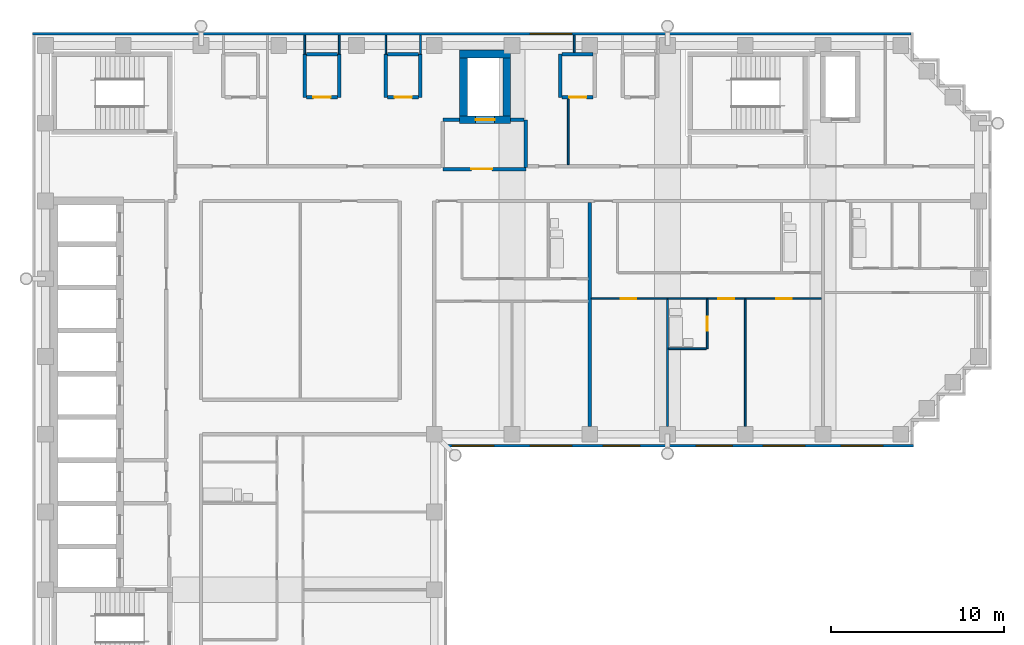
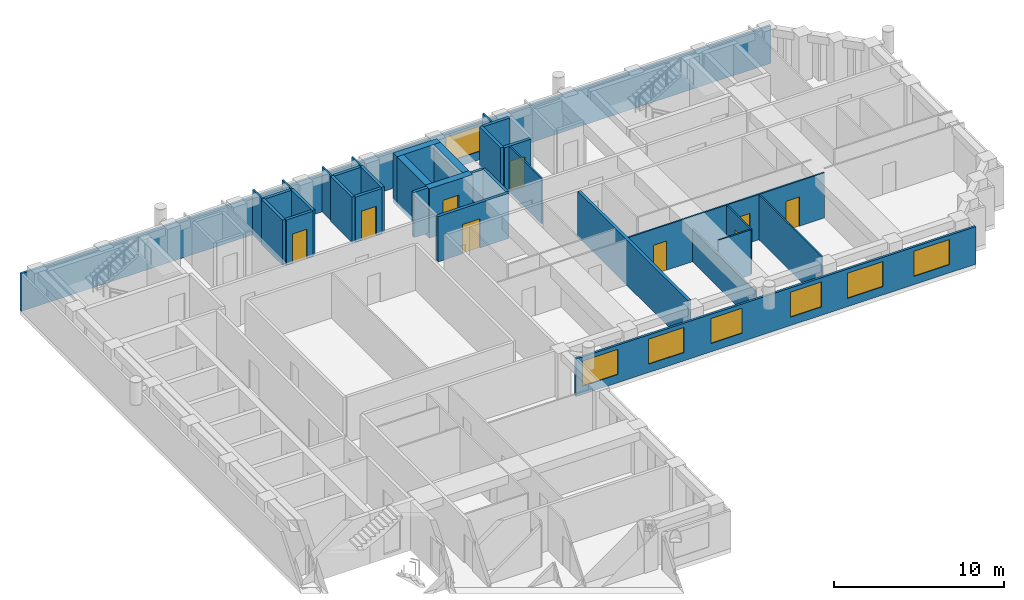
# One storey, part 6 of 11: 33 walls, 9 doors, 7 windows, 16 openings.
"""IFC4 building model written with IfcOpenShell, lengths in metres."""

from ifc_helpers import new_model, si_unit, direction, frame, frame_2d, origin, place, context, subcontext, project, spatial, rectangle, extrude, material, layer, layer_set, type_object, element, fill, save


model = new_model("IFC4")

# Units and contexts
model_context = context("Model", 3, precision=1e-05, world=origin(), true_north=direction((0.0, 1.0)))
body_context = subcontext(model_context, "Body", "Model", "MODEL_VIEW")
ifc_project = project(units=[si_unit("LENGTHUNIT", "METRE"), si_unit("AREAUNIT", "SQUARE_METRE"), si_unit("VOLUMEUNIT", "CUBIC_METRE"), si_unit("PLANEANGLEUNIT", "RADIAN"), si_unit("MASSUNIT", "GRAM", prefix="KILO")], contexts=[model_context])

# Site, building, storey
site_placement = place(None, origin())
site = spatial("IfcSite", under=ifc_project, at=site_placement, CompositionType="ELEMENT")
building_placement = place(site_placement, origin())
building = spatial("IfcBuilding", under=site, at=building_placement, Name="Firuza Court", CompositionType="ELEMENT")
storey_placement = place(building_placement, frame((0.0, 0.0, 207.800048828125)))
storey = spatial("IfcBuildingStorey", under=building, at=storey_placement, Name="L53", CompositionType="ELEMENT", Elevation=207.800048828125)

# Wall
ifc_material_1 = material(Name="Moisture-resistant gypsum board partition")
ifc_layer_1 = layer(ifc_material_1, 0.10009765625)
ifc_layer_set_1 = layer_set([ifc_layer_1], Name="Moisture-resistant gypsum board partition")
wall_type_1 = type_object("IfcWallType", Name="Bathroom partition 100", PredefinedType="PLUMBINGWALL", material=ifc_layer_set_1)
wall_1_placement = place(storey_placement, frame((36.050048828125, 40.949951171875, 0.0), z_axis=(0.0, 0.0, 1.0), x_axis=(1.0, 0.0, 0.0)))
element("IfcWall", 1, at=wall_1_placement, inside=storey, type_object=wall_type_1, Name="Bathroom partition 100 L53", PredefinedType="PLUMBINGWALL", context=body_context, shape_type="SweptSolid", body=[
    extrude(rectangle(XDim=2.199951171875, YDim=0.10009765625, at=frame_2d((1.10009765625, 0.0))), origin(), (0.0, 0.0, 1.0), 3.25),
])

# Wall, opening, door
wall_2_placement = place(storey_placement, frame((38.300048828125, 40.949951171875, 0.0), z_axis=(0.0, 0.0, 1.0), x_axis=(0.0, 1.0, 0.0)))
wall_2 = element("IfcWall", 2, at=wall_2_placement, inside=storey, type_object=wall_type_1, Name="Bathroom partition 100 L53", PredefinedType="PLUMBINGWALL", context=body_context, shape_type="SweptSolid", body=[
    extrude(rectangle(XDim=2.85009765625, YDim=0.10009765625, at=frame_2d((1.425048828125, 0.0))), origin(), (0.0, 0.0, 1.0), 3.25),
])
opening_1_placement = place(wall_2_placement, frame((1.050048828125, 0.0, 0.0)))
opening_1 = element("IfcOpeningElement", 3, at=opening_1_placement, cuts=wall_2, Name="Opening D53035", PredefinedType="OPENING", context=body_context, shape_type="SweptSolid", body=[
    extrude(rectangle(XDim=0.800048828125, YDim=2.10009765625, at=frame_2d((0.39990234375, 1.050048828125))), frame((0.0, 0.06201171875, 0.0), z_axis=(0.0, -1.0, 0.0), x_axis=(1.0, 0.0, 0.0)), (0.0, 0.0, 1.0), 0.1240234375),
])
ifc_material_2 = material(Name="Timber door leaf in hardwood frame", Category="wood")
door_type_1 = type_object("IfcDoorType", Name="Bathroom door 800", OperationType="SINGLE_SWING_LEFT", PredefinedType="DOOR", material=ifc_material_2)
door_1_placement = place(opening_1_placement, origin())
door_1 = element("IfcDoor", 4, at=door_1_placement, inside=storey, type_object=door_type_1, Name="En-suite door", OperationType="SINGLE_SWING_LEFT", OverallHeight=2.10009765625, OverallWidth=0.800048828125, PredefinedType="DOOR", context=body_context, shape_type="SweptSolid", body=[
    extrude(rectangle(XDim=0.800048828125, YDim=2.10009765625, at=frame_2d((0.39990234375, 1.050048828125))), frame((0.0, 0.02490234375, 0.0), z_axis=(0.0, -1.0, 0.0), x_axis=(1.0, 0.0, 0.0)), (0.0, 0.0, 1.0), 0.050048828125),
])
fill(opening_1, door_1)

ifc_material_3 = material(Name="Concrete C50/60", Category="concrete")
ifc_layer_2 = layer(ifc_material_3, 0.449951171875)
ifc_layer_set_2 = layer_set([ifc_layer_2], Name="Concrete C50/60")
wall_type_2 = type_object("IfcWallType", Name="Core wall 450 C50/60", PredefinedType="SHEAR", material=ifc_layer_set_2)
wall_3_placement = place(storey_placement, frame((23.97509765625, 54.199951171875, -0.300048828125), z_axis=(0.0, 0.0, 1.0), x_axis=(1.0, 0.0, 0.0)))
wall_3 = element("IfcWall", 5, at=wall_3_placement, inside=storey, type_object=wall_type_2, Name="Core wall lift shaft L53", PredefinedType="SHEAR", context=body_context, shape_type="SweptSolid", body=[
    extrude(rectangle(XDim=2.949951171875, YDim=0.449951171875, at=frame_2d((1.47509765625, 0.0))), origin(), (0.0, 0.0, 1.0), 3.550048828125),
])
opening_2_placement = place(wall_3_placement, frame((0.925048828125, 0.0, 0.300048828125)))
opening_2 = element("IfcOpeningElement", 6, at=opening_2_placement, cuts=wall_3, Name="Opening LD-FL3-53", PredefinedType="OPENING", context=body_context, shape_type="SweptSolid", body=[
    extrude(rectangle(XDim=1.10009765625, YDim=2.10009765625, at=frame_2d((0.550048828125, 1.050048828125))), frame((0.0, 0.23681640625, 0.0), z_axis=(0.0, -1.0, 0.0), x_axis=(1.0, 0.0, 0.0)), (0.0, 0.0, 1.0), 0.473876953125),
])
ifc_material_4 = material(Name="Stainless steel 1.4301 door leaf", Category="steel")
door_type_2 = type_object("IfcDoorType", Name="Lift landing door 1100", OperationType="SLIDING_TO_LEFT", PredefinedType="DOOR", material=ifc_material_4)
door_2_placement = place(opening_2_placement, origin())
door_2 = element("IfcDoor", 7, at=door_2_placement, inside=storey, type_object=door_type_2, Name="Landing door FL3", OperationType="SLIDING_TO_LEFT", OverallHeight=2.10009765625, OverallWidth=1.10009765625, PredefinedType="DOOR", context=body_context, shape_type="SweptSolid", body=[
    extrude(rectangle(XDim=1.10009765625, YDim=2.10009765625, at=frame_2d((0.550048828125, 1.050048828125))), frame((0.0, 0.02490234375, 0.0), z_axis=(0.0, -1.0, 0.0), x_axis=(1.0, 0.0, 0.0)), (0.0, 0.0, 1.0), 0.050048828125),
])
fill(opening_2, door_2)

# Walls
wall_4_placement = place(storey_placement, frame((23.97509765625, 58.0, -0.300048828125), z_axis=(0.0, 0.0, 1.0), x_axis=(1.0, 0.0, 0.0)))
element("IfcWall", 8, at=wall_4_placement, inside=storey, type_object=wall_type_2, Name="Core wall lift shaft L53", PredefinedType="SHEAR", context=body_context, shape_type="SweptSolid", body=[
    extrude(rectangle(XDim=2.949951171875, YDim=0.449951171875, at=frame_2d((1.47509765625, 0.0))), origin(), (0.0, 0.0, 1.0), 3.550048828125),
])
for number, where, z_axis, x_axis, name in (
    (9, (24.199951171875, 54.425048828125, -0.300048828125), (0.0, 0.0, 1.0), (0.0, 1.0, 0.0), "Core wall lift shaft L53"),
    (10, (26.699951171875, 54.425048828125, -0.300048828125), (0.0, 0.0, 1.0), (0.0, 1.0, 0.0), "Core wall lift shaft L53"),
):
    element("IfcWall", number, at=place(storey_placement, frame(where, z_axis=z_axis, x_axis=x_axis)), inside=storey, type_object=wall_type_2, Name=name, PredefinedType="SHEAR", context=body_context, shape_type="SweptSolid", body=[
        extrude(rectangle(XDim=3.349853515625, YDim=0.449951171875, at=frame_2d((1.6748046875, 0.0))), origin(), (0.0, 0.0, 1.0), 3.550048828125),
    ])
ifc_material_5 = material(Name="Timber stud partition, plasterboard both sides", Category="wood")
ifc_layer_3 = layer(ifc_material_5, 0.10009765625)
ifc_layer_set_3 = layer_set([ifc_layer_3], Name="Timber stud partition, plasterboard both sides")
wall_type_3 = type_object("IfcWallType", Name="Partition wall 100", PredefinedType="PARTITIONING", material=ifc_layer_set_3)
wall_5_placement = place(storey_placement, frame((36.0, 36.449951171875, 0.0), z_axis=(0.0, 0.0, 1.0), x_axis=(0.0, 1.0, 0.0)))
element("IfcWall", 11, at=wall_5_placement, inside=storey, type_object=wall_type_3, Name="Partition wall 100 L53", PredefinedType="PARTITIONING", context=body_context, shape_type="SweptSolid", body=[
    extrude(rectangle(XDim=7.35009765625, YDim=0.10009765625, at=frame_2d((3.675048828125, 0.0))), origin(), (0.0, 0.0, 1.0), 2.349853515625),
])
wall_6_placement = place(storey_placement, frame((40.5, 36.449951171875, 0.0), z_axis=(0.0, 0.0, 1.0), x_axis=(0.0, 1.0, 0.0)))
element("IfcWall", 12, at=wall_6_placement, inside=storey, type_object=wall_type_3, Name="Partition wall 100 L53", PredefinedType="PARTITIONING", context=body_context, shape_type="SweptSolid", body=[
    extrude(rectangle(XDim=7.35009765625, YDim=0.10009765625, at=frame_2d((3.675048828125, 0.0))), origin(), (0.0, 0.0, 1.0), 3.25),
])

# Wall, openings, doors
wall_7_placement = place(storey_placement, frame((31.60009765625, 43.85009765625, 0.0), z_axis=(0.0, 0.0, 1.0), x_axis=(1.0, 0.0, 0.0)))
wall_7 = element("IfcWall", 13, at=wall_7_placement, inside=storey, type_object=wall_type_3, Name="Partition wall 100 L53", PredefinedType="PARTITIONING", context=body_context, shape_type="SweptSolid", body=[
    extrude(rectangle(XDim=13.2998046875, YDim=0.10009765625, at=frame_2d((6.64990234375, 0.0))), origin(), (0.0, 0.0, 1.0), 3.25),
])
opening_3_placement = place(wall_7_placement, frame((1.699951171875, 0.0, 0.0)))
opening_3 = element("IfcOpeningElement", 14, at=opening_3_placement, cuts=wall_7, Name="Opening D53038", PredefinedType="OPENING", context=body_context, shape_type="SweptSolid", body=[
    extrude(rectangle(XDim=0.89990234375, YDim=2.10009765625, at=frame_2d((0.449951171875, 1.050048828125))), frame((0.0, 0.06201171875, 0.0), z_axis=(0.0, -1.0, 0.0), x_axis=(1.0, 0.0, 0.0)), (0.0, 0.0, 1.0), 0.1240234375),
])
opening_4_placement = place(wall_7_placement, frame((7.35009765625, 0.0, 0.0)))
opening_4 = element("IfcOpeningElement", 15, at=opening_4_placement, cuts=wall_7, Name="Opening D53039", PredefinedType="OPENING", context=body_context, shape_type="SweptSolid", body=[
    extrude(rectangle(XDim=0.89990234375, YDim=2.10009765625, at=frame_2d((0.449951171875, 1.050048828125))), frame((0.0, 0.06201171875, 0.0), z_axis=(0.0, -1.0, 0.0), x_axis=(1.0, 0.0, 0.0)), (0.0, 0.0, 1.0), 0.1240234375),
])
opening_5_placement = place(wall_7_placement, frame((10.699951171875, 0.0, 0.0)))
opening_5 = element("IfcOpeningElement", 16, at=opening_5_placement, cuts=wall_7, Name="Opening D53040", PredefinedType="OPENING", context=body_context, shape_type="SweptSolid", body=[
    extrude(rectangle(XDim=0.89990234375, YDim=2.10009765625, at=frame_2d((0.449951171875, 1.050048828125))), frame((0.0, 0.06201171875, 0.0), z_axis=(0.0, -1.0, 0.0), x_axis=(1.0, 0.0, 0.0)), (0.0, 0.0, 1.0), 0.1240234375),
])
ifc_material_6 = material(Name="Timber door leaf in hardwood frame", Category="wood")
door_type_3 = type_object("IfcDoorType", Name="Room door 900", OperationType="SINGLE_SWING_LEFT", PredefinedType="DOOR", material=ifc_material_6)
door_3_placement = place(opening_3_placement, frame((0.89990234375, 0.0, 0.0), z_axis=(0.0, 0.0, 1.0), x_axis=(-1.0, 0.0, 0.0)))
door_3 = element("IfcDoor", 17, at=door_3_placement, inside=storey, type_object=door_type_3, Name="Living room door", OperationType="SINGLE_SWING_RIGHT", OverallHeight=2.10009765625, OverallWidth=0.89990234375, PredefinedType="DOOR", context=body_context, shape_type="SweptSolid", body=[
    extrude(rectangle(XDim=0.89990234375, YDim=2.10009765625, at=frame_2d((0.449951171875, 1.050048828125))), frame((0.0, 0.02490234375, 0.0), z_axis=(0.0, -1.0, 0.0), x_axis=(1.0, 0.0, 0.0)), (0.0, 0.0, 1.0), 0.050048828125),
])
fill(opening_3, door_3)
door_4_placement = place(opening_4_placement, frame((0.89990234375, 0.0, 0.0), z_axis=(0.0, 0.0, 1.0), x_axis=(-1.0, 0.0, 0.0)))
door_4 = element("IfcDoor", 18, at=door_4_placement, inside=storey, type_object=door_type_3, Name="Bedroom door", OperationType="SINGLE_SWING_LEFT", OverallHeight=2.10009765625, OverallWidth=0.89990234375, PredefinedType="DOOR", context=body_context, shape_type="SweptSolid", body=[
    extrude(rectangle(XDim=0.89990234375, YDim=2.10009765625, at=frame_2d((0.449951171875, 1.050048828125))), frame((0.0, 0.02490234375, 0.0), z_axis=(0.0, -1.0, 0.0), x_axis=(1.0, 0.0, 0.0)), (0.0, 0.0, 1.0), 0.050048828125),
])
fill(opening_4, door_4)
door_5_placement = place(opening_5_placement, frame((0.89990234375, 0.0, 0.0), z_axis=(0.0, 0.0, 1.0), x_axis=(-1.0, 0.0, 0.0)))
door_5 = element("IfcDoor", 19, at=door_5_placement, inside=storey, type_object=door_type_3, Name="Bedroom door", OperationType="SINGLE_SWING_RIGHT", OverallHeight=2.10009765625, OverallWidth=0.89990234375, PredefinedType="DOOR", context=body_context, shape_type="SweptSolid", body=[
    extrude(rectangle(XDim=0.89990234375, YDim=2.10009765625, at=frame_2d((0.449951171875, 1.050048828125))), frame((0.0, 0.02490234375, 0.0), z_axis=(0.0, -1.0, 0.0), x_axis=(1.0, 0.0, 0.0)), (0.0, 0.0, 1.0), 0.050048828125),
])
fill(opening_5, door_5)

# Walls
wall_8_placement = place(storey_placement, frame((30.25, 51.60009765625, 0.0), z_axis=(0.0, 0.0, 1.0), x_axis=(0.0, 1.0, 0.0)))
element("IfcWall", 20, at=wall_8_placement, inside=storey, type_object=wall_type_3, Name="Partition wall 100 L53", PredefinedType="PARTITIONING", context=body_context, shape_type="SweptSolid", body=[
    extrude(rectangle(XDim=3.7998046875, YDim=0.10009765625, at=frame_2d((1.89990234375, 0.0))), origin(), (0.0, 0.0, 1.0), 3.25),
])
for number, where, z_axis, x_axis, name in (
    (21, (15.0, 58.0, 0.0), (0.0, 0.0, 1.0), (0.0, 1.0, 0.0), "Partition wall 100 L53"),
    (22, (17.0, 58.0, 0.0), (0.0, 0.0, 1.0), (0.0, 1.0, 0.0), "Partition wall 100 L53"),
    (23, (19.699951171875, 58.0, 0.0), (0.0, 0.0, 1.0), (0.0, 1.0, 0.0), "Partition wall 100 L53"),
    (24, (21.699951171875, 58.0, 0.0), (0.0, 0.0, 1.0), (0.0, 1.0, 0.0), "Partition wall 100 L53"),
):
    element("IfcWall", number, at=place(storey_placement, frame(where, z_axis=z_axis, x_axis=x_axis)), inside=storey, type_object=wall_type_3, Name=name, PredefinedType="PARTITIONING", context=body_context, shape_type="SweptSolid", body=[
        extrude(rectangle(XDim=1.10009765625, YDim=0.10009765625, at=frame_2d((0.550048828125, 0.0))), origin(), (0.0, 0.0, 1.0), 3.25),
    ])
wall_9_placement = place(storey_placement, frame((30.60009765625, 58.10009765625, 0.0), z_axis=(0.0, 0.0, 1.0), x_axis=(0.0, 1.0, 0.0)))
element("IfcWall", 25, at=wall_9_placement, inside=storey, type_object=wall_type_3, Name="Partition wall 100 L53", PredefinedType="PARTITIONING", context=body_context, shape_type="SweptSolid", body=[
    extrude(rectangle(XDim=1.0, YDim=0.10009765625, at=frame_2d((0.5, 0.0))), origin(), (0.0, 0.0, 1.0), 3.25),
])
ifc_material_7 = material(Name="Blockwork, plastered both sides", Category="masonry")
ifc_layer_4 = layer(ifc_material_7, 0.199951171875)
ifc_layer_set_4 = layer_set([ifc_layer_4], Name="Blockwork, plastered both sides")
wall_type_4 = type_object("IfcWallType", Name="Party wall 200", PredefinedType="PARTITIONING", material=ifc_layer_set_4)
wall_10_placement = place(storey_placement, frame((31.5, 36.449951171875, 0.0), z_axis=(0.0, 0.0, 1.0), x_axis=(0.0, 1.0, 0.0)))
element("IfcWall", 26, at=wall_10_placement, inside=storey, type_object=wall_type_4, Name="Party wall 200 L53", PredefinedType="PARTITIONING", context=body_context, shape_type="SweptSolid", body=[
    extrude(rectangle(XDim=12.949951171875, YDim=0.199951171875, at=frame_2d((6.47509765625, 0.0))), origin(), (0.0, 0.0, 1.0), 3.25),
])
ifc_material_8 = material(Name="Blockwork, fire-rated", Category="masonry")
ifc_layer_5 = layer(ifc_material_8, 0.199951171875)
ifc_layer_set_5 = layer_set([ifc_layer_5], Name="Blockwork, fire-rated")
wall_type_5 = type_object("IfcWallType", Name="Plant room wall 200", PredefinedType="PARTITIONING", material=ifc_layer_set_5)
wall_11_placement = place(storey_placement, frame((15.0, 55.5, 0.0), z_axis=(0.0, 0.0, 1.0), x_axis=(0.0, 1.0, 0.0)))
element("IfcWall", 27, at=wall_11_placement, inside=storey, type_object=wall_type_5, Name="Plant room wall 200 L53", PredefinedType="PARTITIONING", context=body_context, shape_type="SweptSolid", body=[
    extrude(rectangle(XDim=2.5, YDim=0.199951171875, at=frame_2d((1.25, 0.0))), origin(), (0.0, 0.0, 1.0), 3.25),
])

# Wall, opening, door
wall_12_placement = place(storey_placement, frame((15.10009765625, 55.5, 0.0), z_axis=(0.0, 0.0, 1.0), x_axis=(1.0, 0.0, 0.0)))
wall_12 = element("IfcWall", 28, at=wall_12_placement, inside=storey, type_object=wall_type_5, Name="Plant room wall 200 L53", PredefinedType="PARTITIONING", context=body_context, shape_type="SweptSolid", body=[
    extrude(rectangle(XDim=1.7998046875, YDim=0.199951171875, at=frame_2d((0.89990234375, 0.0))), origin(), (0.0, 0.0, 1.0), 3.25),
])
opening_6_placement = place(wall_12_placement, frame((0.39990234375, 0.0, 0.0)))
opening_6 = element("IfcOpeningElement", 29, at=opening_6_placement, cuts=wall_12, Name="Opening D53060", PredefinedType="OPENING", context=body_context, shape_type="SweptSolid", body=[
    extrude(rectangle(XDim=1.0, YDim=2.10009765625, at=frame_2d((0.5, 1.050048828125))), frame((0.0, 0.11181640625, 0.0), z_axis=(0.0, -1.0, 0.0), x_axis=(1.0, 0.0, 0.0)), (0.0, 0.0, 1.0), 0.223876953125),
])
ifc_material_9 = material(Name="Timber door leaf in hardwood frame", Category="wood")
door_type_4 = type_object("IfcDoorType", Name="Riser door 1000", OperationType="SINGLE_SWING_LEFT", PredefinedType="DOOR", material=ifc_material_9)
door_6_placement = place(opening_6_placement, origin())
door_6 = element("IfcDoor", 30, at=door_6_placement, inside=storey, type_object=door_type_4, Name="Electrical riser door", OperationType="SINGLE_SWING_LEFT", OverallHeight=2.10009765625, OverallWidth=1.0, PredefinedType="DOOR", context=body_context, shape_type="SweptSolid", body=[
    extrude(rectangle(XDim=1.0, YDim=2.10009765625, at=frame_2d((0.5, 1.050048828125))), frame((0.0, 0.02490234375, 0.0), z_axis=(0.0, -1.0, 0.0), x_axis=(1.0, 0.0, 0.0)), (0.0, 0.0, 1.0), 0.050048828125),
])
fill(opening_6, door_6)

# Walls
for number, where, z_axis, x_axis, name in (
    (31, (17.0, 55.5, 0.0), (0.0, 0.0, 1.0), (0.0, 1.0, 0.0), "Plant room wall 200 L53"),
    (32, (19.699951171875, 55.5, 0.0), (0.0, 0.0, 1.0), (0.0, 1.0, 0.0), "Plant room wall 200 L53"),
):
    element("IfcWall", number, at=place(storey_placement, frame(where, z_axis=z_axis, x_axis=x_axis)), inside=storey, type_object=wall_type_5, Name=name, PredefinedType="PARTITIONING", context=body_context, shape_type="SweptSolid", body=[
        extrude(rectangle(XDim=2.5, YDim=0.199951171875, at=frame_2d((1.25, 0.0))), origin(), (0.0, 0.0, 1.0), 3.25),
    ])

# Wall, opening, door
wall_13_placement = place(storey_placement, frame((19.800048828125, 55.5, 0.0), z_axis=(0.0, 0.0, 1.0), x_axis=(1.0, 0.0, 0.0)))
wall_13 = element("IfcWall", 33, at=wall_13_placement, inside=storey, type_object=wall_type_5, Name="Plant room wall 200 L53", PredefinedType="PARTITIONING", context=body_context, shape_type="SweptSolid", body=[
    extrude(rectangle(XDim=1.800048828125, YDim=0.199951171875, at=frame_2d((0.89990234375, 0.0))), origin(), (0.0, 0.0, 1.0), 3.25),
])
opening_7_placement = place(wall_13_placement, frame((0.39990234375, 0.0, 0.0)))
opening_7 = element("IfcOpeningElement", 34, at=opening_7_placement, cuts=wall_13, Name="Opening D53061", PredefinedType="OPENING", context=body_context, shape_type="SweptSolid", body=[
    extrude(rectangle(XDim=1.0, YDim=2.10009765625, at=frame_2d((0.5, 1.050048828125))), frame((0.0, 0.11181640625, 0.0), z_axis=(0.0, -1.0, 0.0), x_axis=(1.0, 0.0, 0.0)), (0.0, 0.0, 1.0), 0.223876953125),
])
door_7_placement = place(opening_7_placement, origin())
door_7 = element("IfcDoor", 35, at=door_7_placement, inside=storey, type_object=door_type_4, Name="Duct riser door", OperationType="SINGLE_SWING_LEFT", OverallHeight=2.10009765625, OverallWidth=1.0, PredefinedType="DOOR", context=body_context, shape_type="SweptSolid", body=[
    extrude(rectangle(XDim=1.0, YDim=2.10009765625, at=frame_2d((0.5, 1.050048828125))), frame((0.0, 0.02490234375, 0.0), z_axis=(0.0, -1.0, 0.0), x_axis=(1.0, 0.0, 0.0)), (0.0, 0.0, 1.0), 0.050048828125),
])
fill(opening_7, door_7)

# Walls
for number, where, z_axis, x_axis, name in (
    (36, (21.699951171875, 55.5, 0.0), (0.0, 0.0, 1.0), (0.0, 1.0, 0.0), "Plant room wall 200 L53"),
    (37, (29.800048828125, 55.5, 0.0), (0.0, 0.0, 1.0), (0.0, 1.0, 0.0), "Plant room wall 200 L53"),
):
    element("IfcWall", number, at=place(storey_placement, frame(where, z_axis=z_axis, x_axis=x_axis)), inside=storey, type_object=wall_type_5, Name=name, PredefinedType="PARTITIONING", context=body_context, shape_type="SweptSolid", body=[
        extrude(rectangle(XDim=2.5, YDim=0.199951171875, at=frame_2d((1.25, 0.0))), origin(), (0.0, 0.0, 1.0), 3.25),
    ])

# Wall, opening, door
wall_14_placement = place(storey_placement, frame((29.89990234375, 55.5, 0.0), z_axis=(0.0, 0.0, 1.0), x_axis=(1.0, 0.0, 0.0)))
wall_14 = element("IfcWall", 38, at=wall_14_placement, inside=storey, type_object=wall_type_5, Name="Plant room wall 200 L53", PredefinedType="PARTITIONING", context=body_context, shape_type="SweptSolid", body=[
    extrude(rectangle(XDim=1.800048828125, YDim=0.199951171875, at=frame_2d((0.89990234375, 0.0))), origin(), (0.0, 0.0, 1.0), 3.25),
])
opening_8_placement = place(wall_14_placement, frame((0.39990234375, 0.0, 0.0)))
opening_8 = element("IfcOpeningElement", 39, at=opening_8_placement, cuts=wall_14, Name="Opening D53062", PredefinedType="OPENING", context=body_context, shape_type="SweptSolid", body=[
    extrude(rectangle(XDim=1.0, YDim=2.10009765625, at=frame_2d((0.5, 1.050048828125))), frame((0.0, 0.11181640625, 0.0), z_axis=(0.0, -1.0, 0.0), x_axis=(1.0, 0.0, 0.0)), (0.0, 0.0, 1.0), 0.223876953125),
])
door_8_placement = place(opening_8_placement, origin())
door_8 = element("IfcDoor", 40, at=door_8_placement, inside=storey, type_object=door_type_4, Name="Electrical riser door", OperationType="SINGLE_SWING_LEFT", OverallHeight=2.10009765625, OverallWidth=1.0, PredefinedType="DOOR", context=body_context, shape_type="SweptSolid", body=[
    extrude(rectangle(XDim=1.0, YDim=2.10009765625, at=frame_2d((0.5, 1.050048828125))), frame((0.0, 0.02490234375, 0.0), z_axis=(0.0, -1.0, 0.0), x_axis=(1.0, 0.0, 0.0)), (0.0, 0.0, 1.0), 0.050048828125),
])
fill(opening_8, door_8)

# Walls
wall_15_placement = place(storey_placement, frame((15.10009765625, 58.0, 0.0), z_axis=(0.0, 0.0, 1.0), x_axis=(1.0, 0.0, 0.0)))
element("IfcWall", 41, at=wall_15_placement, inside=storey, type_object=wall_type_5, Name="Plant room wall 200 L53", PredefinedType="PARTITIONING", context=body_context, shape_type="SweptSolid", body=[
    extrude(rectangle(XDim=1.7998046875, YDim=0.199951171875, at=frame_2d((0.89990234375, 0.0))), origin(), (0.0, 0.0, 1.0), 3.25),
])
for number, where, z_axis, x_axis, name in (
    (42, (19.800048828125, 58.0, 0.0), (0.0, 0.0, 1.0), (1.0, 0.0, 0.0), "Plant room wall 200 L53"),
    (43, (29.89990234375, 58.0, 0.0), (0.0, 0.0, 1.0), (1.0, 0.0, 0.0), "Plant room wall 200 L53"),
):
    element("IfcWall", number, at=place(storey_placement, frame(where, z_axis=z_axis, x_axis=x_axis)), inside=storey, type_object=wall_type_5, Name=name, PredefinedType="PARTITIONING", context=body_context, shape_type="SweptSolid", body=[
        extrude(rectangle(XDim=1.800048828125, YDim=0.199951171875, at=frame_2d((0.89990234375, 0.0))), origin(), (0.0, 0.0, 1.0), 3.25),
    ])

# Wall, openings, windows
ifc_material_10 = material(Name="Ceramic tile", Category="ceramic")
ifc_layer_6 = layer(ifc_material_10, 0.02001953125)
ifc_material_11 = material(Name="Mineral wool insulation", Category="insulation")
ifc_layer_7 = layer(ifc_material_11, 0.050048828125)
ifc_material_12 = material(Name="Concrete C40/50 precast", Category="concrete")
ifc_layer_8 = layer(ifc_material_12, 0.080078125)
ifc_layer_set_6 = layer_set([ifc_layer_6, ifc_layer_7, ifc_layer_8], Name="Concrete C40/50 precast")
wall_type_6 = type_object("IfcWallType", Name="Precast cladding wall with turquoise TILE PANEL face 150", PredefinedType="STANDARD", material=ifc_layer_set_6)
wall_16_placement = place(storey_placement, frame((23.10009765625, 35.324951171875, 0.0), z_axis=(0.0, 0.0, 1.0), x_axis=(1.0, 0.0, 0.0)))
wall_16 = element("IfcWall", 44, at=wall_16_placement, inside=storey, type_object=wall_type_6, Name="Facade wall L53 S", PredefinedType="STANDARD", context=body_context, shape_type="SweptSolid", body=[
    extrude(rectangle(XDim=27.14990234375, YDim=0.14990234375, at=frame_2d((13.574951171875, 0.0))), origin(), (0.0, 0.0, 1.0), 2.699951171875),
])
opening_9_placement = place(wall_16_placement, frame((0.449951171875, 0.0, 0.60009765625)))
opening_9 = element("IfcOpeningElement", 45, at=opening_9_placement, cuts=wall_16, Name="Opening W1", PredefinedType="OPENING", context=body_context, shape_type="SweptSolid", body=[
    extrude(rectangle(XDim=2.39990234375, YDim=1.800048828125, at=frame_2d((1.199951171875, 0.89990234375))), frame((0.0, 0.0869140625, 0.0), z_axis=(0.0, -1.0, 0.0), x_axis=(1.0, 0.0, 0.0)), (0.0, 0.0, 1.0), 0.173828125),
])
opening_10_placement = place(wall_16_placement, frame((4.949951171875, 0.0, 0.60009765625)))
opening_10 = element("IfcOpeningElement", 46, at=opening_10_placement, cuts=wall_16, Name="Opening W1", PredefinedType="OPENING", context=body_context, shape_type="SweptSolid", body=[
    extrude(rectangle(XDim=2.39990234375, YDim=1.800048828125, at=frame_2d((1.199951171875, 0.89990234375))), frame((0.0, 0.0869140625, 0.0), z_axis=(0.0, -1.0, 0.0), x_axis=(1.0, 0.0, 0.0)), (0.0, 0.0, 1.0), 0.173828125),
])
opening_11_placement = place(wall_16_placement, frame((9.189208984375, 0.0, 0.60009765625)))
opening_11 = element("IfcOpeningElement", 47, at=opening_11_placement, cuts=wall_16, Name="Opening W6", PredefinedType="OPENING", context=body_context, shape_type="SweptSolid", body=[
    extrude(rectangle(XDim=2.10009765625, YDim=1.800048828125, at=frame_2d((1.050048828125, 0.89990234375))), frame((0.0, 0.0869140625, 0.0), z_axis=(0.0, -1.0, 0.0), x_axis=(1.0, 0.0, 0.0)), (0.0, 0.0, 1.0), 0.173828125),
])
opening_12_placement = place(wall_16_placement, frame((14.55810546875, 0.0, 0.60009765625)))
opening_12 = element("IfcOpeningElement", 48, at=opening_12_placement, cuts=wall_16, Name="Opening W6", PredefinedType="OPENING", context=body_context, shape_type="SweptSolid", body=[
    extrude(rectangle(XDim=2.10009765625, YDim=1.800048828125, at=frame_2d((1.050048828125, 0.89990234375))), frame((0.0, 0.0869140625, 0.0), z_axis=(0.0, -1.0, 0.0), x_axis=(1.0, 0.0, 0.0)), (0.0, 0.0, 1.0), 0.173828125),
])
opening_13_placement = place(wall_16_placement, frame((18.449951171875, 0.0, 0.60009765625)))
opening_13 = element("IfcOpeningElement", 49, at=opening_13_placement, cuts=wall_16, Name="Opening W1", PredefinedType="OPENING", context=body_context, shape_type="SweptSolid", body=[
    extrude(rectangle(XDim=2.39990234375, YDim=1.800048828125, at=frame_2d((1.199951171875, 0.89990234375))), frame((0.0, 0.0869140625, 0.0), z_axis=(0.0, -1.0, 0.0), x_axis=(1.0, 0.0, 0.0)), (0.0, 0.0, 1.0), 0.173828125),
])
opening_14_placement = place(wall_16_placement, frame((22.949951171875, 0.0, 0.60009765625)))
opening_14 = element("IfcOpeningElement", 50, at=opening_14_placement, cuts=wall_16, Name="Opening W1", PredefinedType="OPENING", context=body_context, shape_type="SweptSolid", body=[
    extrude(rectangle(XDim=2.39990234375, YDim=1.800048828125, at=frame_2d((1.199951171875, 0.89990234375))), frame((0.0, 0.0869140625, 0.0), z_axis=(0.0, -1.0, 0.0), x_axis=(1.0, 0.0, 0.0)), (0.0, 0.0, 1.0), 0.173828125),
])
ifc_material_13 = material(Name="Aluminium frame, triple clear glazing", Category="aluminium")
window_type_1 = type_object("IfcWindowType", Name="Window W1 2400 x 1800", PartitioningType="SINGLE_PANEL", PredefinedType="WINDOW", material=ifc_material_13)
window_1_placement = place(opening_9_placement, origin())
window_1 = element("IfcWindow", 51, at=window_1_placement, inside=storey, type_object=window_type_1, Name="Window L53", OverallHeight=1.800048828125, OverallWidth=2.39990234375, PartitioningType="SINGLE_PANEL", PredefinedType="WINDOW", context=body_context, shape_type="SweptSolid", body=[
    extrude(rectangle(XDim=2.39990234375, YDim=1.800048828125, at=frame_2d((1.199951171875, 0.89990234375))), frame((0.0, 0.030029296875, 0.0), z_axis=(0.0, -1.0, 0.0), x_axis=(1.0, 0.0, 0.0)), (0.0, 0.0, 1.0), 0.06005859375),
])
fill(opening_9, window_1)
window_2_placement = place(opening_10_placement, origin())
window_2 = element("IfcWindow", 52, at=window_2_placement, inside=storey, type_object=window_type_1, Name="Window L53", OverallHeight=1.800048828125, OverallWidth=2.39990234375, PartitioningType="SINGLE_PANEL", PredefinedType="WINDOW", context=body_context, shape_type="SweptSolid", body=[
    extrude(rectangle(XDim=2.39990234375, YDim=1.800048828125, at=frame_2d((1.199951171875, 0.89990234375))), frame((0.0, 0.030029296875, 0.0), z_axis=(0.0, -1.0, 0.0), x_axis=(1.0, 0.0, 0.0)), (0.0, 0.0, 1.0), 0.06005859375),
])
fill(opening_10, window_2)
window_3_placement = place(opening_13_placement, origin())
window_3 = element("IfcWindow", 53, at=window_3_placement, inside=storey, type_object=window_type_1, Name="Window L53", OverallHeight=1.800048828125, OverallWidth=2.39990234375, PartitioningType="SINGLE_PANEL", PredefinedType="WINDOW", context=body_context, shape_type="SweptSolid", body=[
    extrude(rectangle(XDim=2.39990234375, YDim=1.800048828125, at=frame_2d((1.199951171875, 0.89990234375))), frame((0.0, 0.030029296875, 0.0), z_axis=(0.0, -1.0, 0.0), x_axis=(1.0, 0.0, 0.0)), (0.0, 0.0, 1.0), 0.06005859375),
])
fill(opening_13, window_3)
window_4_placement = place(opening_14_placement, origin())
window_4 = element("IfcWindow", 54, at=window_4_placement, inside=storey, type_object=window_type_1, Name="Window L53", OverallHeight=1.800048828125, OverallWidth=2.39990234375, PartitioningType="SINGLE_PANEL", PredefinedType="WINDOW", context=body_context, shape_type="SweptSolid", body=[
    extrude(rectangle(XDim=2.39990234375, YDim=1.800048828125, at=frame_2d((1.199951171875, 0.89990234375))), frame((0.0, 0.030029296875, 0.0), z_axis=(0.0, -1.0, 0.0), x_axis=(1.0, 0.0, 0.0)), (0.0, 0.0, 1.0), 0.06005859375),
])
fill(opening_14, window_4)
ifc_material_14 = material(Name="Aluminium frame, triple clear glazing", Category="aluminium")
window_type_2 = type_object("IfcWindowType", Name="Window W6 2100 x 1800", PartitioningType="SINGLE_PANEL", PredefinedType="WINDOW", material=ifc_material_14)
window_5_placement = place(opening_11_placement, origin())
window_5 = element("IfcWindow", 55, at=window_5_placement, inside=storey, type_object=window_type_2, Name="Window L53", OverallHeight=1.800048828125, OverallWidth=2.10009765625, PartitioningType="SINGLE_PANEL", PredefinedType="WINDOW", context=body_context, shape_type="SweptSolid", body=[
    extrude(rectangle(XDim=2.10009765625, YDim=1.800048828125, at=frame_2d((1.050048828125, 0.89990234375))), frame((0.0, 0.030029296875, 0.0), z_axis=(0.0, -1.0, 0.0), x_axis=(1.0, 0.0, 0.0)), (0.0, 0.0, 1.0), 0.06005859375),
])
fill(opening_11, window_5)
window_6_placement = place(opening_12_placement, origin())
window_6 = element("IfcWindow", 56, at=window_6_placement, inside=storey, type_object=window_type_2, Name="Window L53", OverallHeight=1.800048828125, OverallWidth=2.10009765625, PartitioningType="SINGLE_PANEL", PredefinedType="WINDOW", context=body_context, shape_type="SweptSolid", body=[
    extrude(rectangle(XDim=2.10009765625, YDim=1.800048828125, at=frame_2d((1.050048828125, 0.89990234375))), frame((0.0, 0.030029296875, 0.0), z_axis=(0.0, -1.0, 0.0), x_axis=(1.0, 0.0, 0.0)), (0.0, 0.0, 1.0), 0.06005859375),
])
fill(opening_12, window_6)

# Wall, opening, window
wall_17_placement = place(storey_placement, frame((50.10009765625, 59.175048828125, 0.0), z_axis=(0.0, 0.0, 1.0), x_axis=(-1.0, 0.0, 0.0)))
wall_17 = element("IfcWall", 57, at=wall_17_placement, inside=storey, type_object=wall_type_6, Name="Facade wall L53 N", PredefinedType="STANDARD", context=body_context, shape_type="SweptSolid", body=[
    extrude(rectangle(XDim=50.85009765625, YDim=0.14990234375, at=frame_2d((25.425048828125, 0.0))), origin(), (0.0, 0.0, 1.0), 2.699951171875),
])
opening_15_placement = place(wall_17_placement, frame((19.64990234375, 0.0, 0.60009765625)))
opening_15 = element("IfcOpeningElement", 58, at=opening_15_placement, cuts=wall_17, Name="Opening W1", PredefinedType="OPENING", context=body_context, shape_type="SweptSolid", body=[
    extrude(rectangle(XDim=2.39990234375, YDim=1.800048828125, at=frame_2d((1.199951171875, 0.89990234375))), frame((0.0, 0.0869140625, 0.0), z_axis=(0.0, -1.0, 0.0), x_axis=(1.0, 0.0, 0.0)), (0.0, 0.0, 1.0), 0.173828125),
])
window_7_placement = place(opening_15_placement, origin())
window_7 = element("IfcWindow", 59, at=window_7_placement, inside=storey, type_object=window_type_1, Name="Window L53", OverallHeight=1.800048828125, OverallWidth=2.39990234375, PartitioningType="SINGLE_PANEL", PredefinedType="WINDOW", context=body_context, shape_type="SweptSolid", body=[
    extrude(rectangle(XDim=2.39990234375, YDim=1.800048828125, at=frame_2d((1.199951171875, 0.89990234375))), frame((0.0, 0.030029296875, 0.0), z_axis=(0.0, -1.0, 0.0), x_axis=(1.0, 0.0, 0.0)), (0.0, 0.0, 1.0), 0.06005859375),
])
fill(opening_15, window_7)

# Wall, opening, door
ifc_layer_9 = layer(ifc_material_8, 0.199951171875)
ifc_layer_set_7 = layer_set([ifc_layer_9], Name="Blockwork, fire-rated")
wall_type_7 = type_object("IfcWallType", Name="Shaft wall 200", PredefinedType="PARTITIONING", material=ifc_layer_set_7)
wall_18_placement = place(storey_placement, frame((23.0, 51.35009765625, 0.0), z_axis=(0.0, 0.0, 1.0), x_axis=(1.0, 0.0, 0.0)))
wall_18 = element("IfcWall", 60, at=wall_18_placement, inside=storey, type_object=wall_type_7, Name="Shaft wall 200 L53", PredefinedType="PARTITIONING", context=body_context, shape_type="SweptSolid", body=[
    extrude(rectangle(XDim=4.800048828125, YDim=0.199951171875, at=frame_2d((2.39990234375, 0.0))), origin(), (0.0, 0.0, 1.0), 3.25),
])
opening_16_placement = place(wall_18_placement, frame((1.64990234375, 0.0, 0.0)))
opening_16 = element("IfcOpeningElement", 61, at=opening_16_placement, cuts=wall_18, Name="Opening D53003", PredefinedType="OPENING", context=body_context, shape_type="SweptSolid", body=[
    extrude(rectangle(XDim=1.199951171875, YDim=2.10009765625, at=frame_2d((0.60009765625, 1.050048828125))), frame((0.0, 0.11181640625, 0.0), z_axis=(0.0, -1.0, 0.0), x_axis=(1.0, 0.0, 0.0)), (0.0, 0.0, 1.0), 0.223876953125),
])
ifc_material_15 = material(Name="Timber door leaf in hardwood frame", Category="wood")
door_type_5 = type_object("IfcDoorType", Name="Lobby door 1200", OperationType="SINGLE_SWING_LEFT", PredefinedType="DOOR", material=ifc_material_15)
door_9_placement = place(opening_16_placement, origin())
door_9 = element("IfcDoor", 62, at=door_9_placement, inside=storey, type_object=door_type_5, Name="Fire-fighting lobby door", OperationType="SINGLE_SWING_LEFT", OverallHeight=2.10009765625, OverallWidth=1.199951171875, PredefinedType="DOOR", context=body_context, shape_type="SweptSolid", body=[
    extrude(rectangle(XDim=1.199951171875, YDim=2.10009765625, at=frame_2d((0.60009765625, 1.050048828125))), frame((0.0, 0.02490234375, 0.0), z_axis=(0.0, -1.0, 0.0), x_axis=(1.0, 0.0, 0.0)), (0.0, 0.0, 1.0), 0.050048828125),
])
fill(opening_16, door_9)

# Walls
wall_19_placement = place(storey_placement, frame((27.800048828125, 51.449951171875, 0.0), z_axis=(0.0, 0.0, 1.0), x_axis=(0.0, 1.0, 0.0)))
element("IfcWall", 63, at=wall_19_placement, inside=storey, type_object=wall_type_7, Name="Shaft wall 200 L53", PredefinedType="PARTITIONING", context=body_context, shape_type="SweptSolid", body=[
    extrude(rectangle(XDim=2.75, YDim=0.199951171875, at=frame_2d((1.375, 0.0))), origin(), (0.0, 0.0, 1.0), 3.25),
])
wall_20_placement = place(storey_placement, frame((23.0, 54.199951171875, 0.0), z_axis=(0.0, 0.0, 1.0), x_axis=(1.0, 0.0, 0.0)))
element("IfcWall", 64, at=wall_20_placement, inside=storey, type_object=wall_type_7, Name="Shaft wall 200 L53", PredefinedType="PARTITIONING", context=body_context, shape_type="SweptSolid", body=[
    extrude(rectangle(XDim=0.97509765625, YDim=0.199951171875, at=frame_2d((0.487548828125, 0.0))), origin(), (0.0, 0.0, 1.0), 3.25),
])
wall_21_placement = place(storey_placement, frame((26.925048828125, 54.199951171875, 0.0), z_axis=(0.0, 0.0, 1.0), x_axis=(1.0, 0.0, 0.0)))
element("IfcWall", 65, at=wall_21_placement, inside=storey, type_object=wall_type_7, Name="Shaft wall 200 L53", PredefinedType="PARTITIONING", context=body_context, shape_type="SweptSolid", body=[
    extrude(rectangle(XDim=0.77490234375, YDim=0.199951171875, at=frame_2d((0.387451171875, 0.0))), origin(), (0.0, 0.0, 1.0), 3.25),
])

save(model, "model.ifc")
